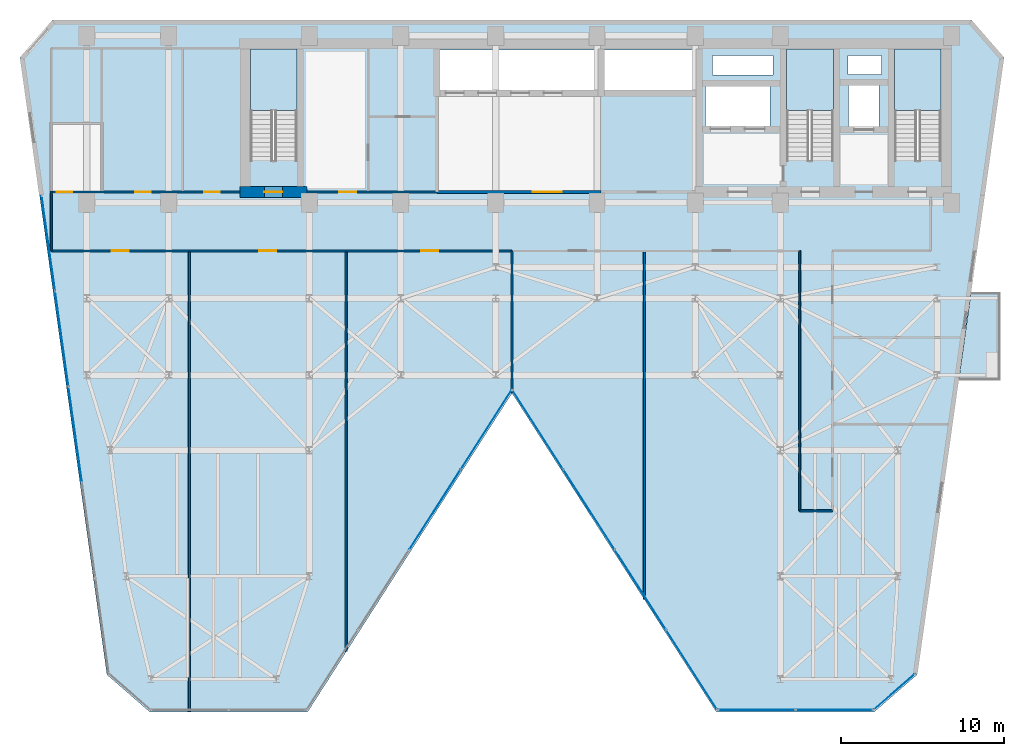
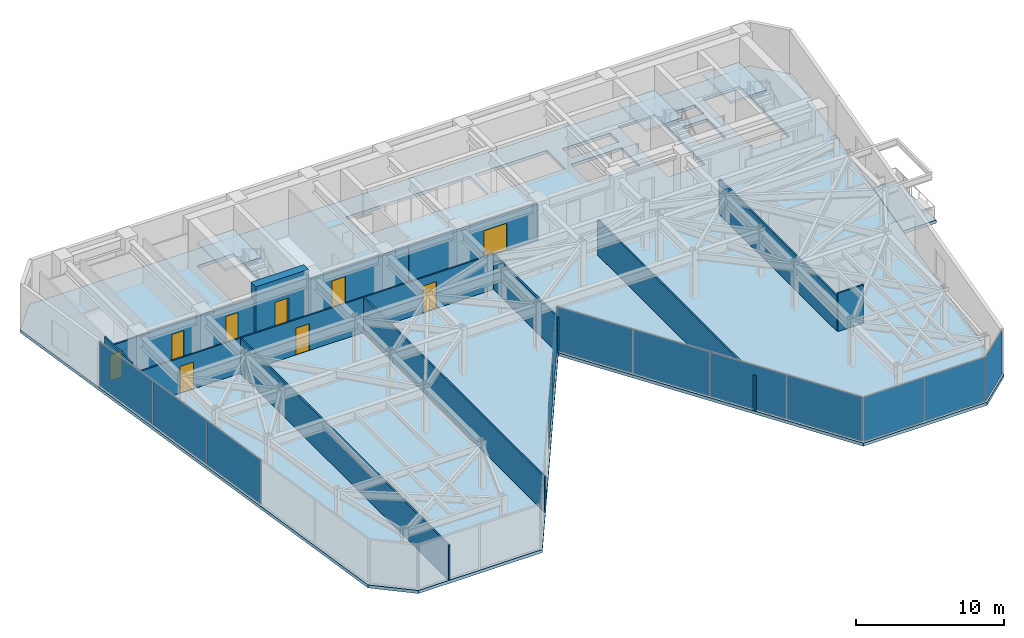
# One storey, part 21 of 26: 12 plates, 12 walls, 9 doors, 5 slabs, 9 openings, 8 elements without a shape of their own.
"""IFC4 building model written with IfcOpenShell, lengths in metres."""

import ifcopenshell
import ifcopenshell.guid

model = None  # the IFC model being written
_history = None  # IfcOwnerHistory: only IFC2X3 demands one
_inside = {}  # id of a spatial element -> (the spatial element, [elements in it])
_under = {}  # id of a project, library or spatial element -> (it, [spatial elements below it])
_declared = {}  # id of a project -> (the project, [libraries it declares])
_typed = {}  # id of a type object -> (the type object, [elements of that type])
_made_of = {}  # id of a material, layer set ... -> (it, [elements and type objects made of it])


def new_model(schema):
    """Start an empty IFC model of exactly this schema.

    Asked for "IFC4X3", IfcOpenShell would pick the latest addendum, in which some entities
    have other attributes; the version numbers below select the first issue.
    IFC2X3 requires an IfcOwnerHistory on every rooted entity: one is made here for all.
    """
    global model, _history
    if schema == "IFC4X3":
        model = ifcopenshell.file(schema_version=(4, 3, 0, 0))
    else:
        model = ifcopenshell.file(schema=schema)
    _inside.clear()
    _under.clear()
    _declared.clear()
    _typed.clear()
    _made_of.clear()
    _history = None
    if model.schema == "IFC2X3":
        org = make("IfcOrganization", Name="unknown")
        user = make(
            "IfcPersonAndOrganization",
            ThePerson=make("IfcPerson", FamilyName="unknown"),
            TheOrganization=org,
        )
        app = make(
            "IfcApplication",
            ApplicationDeveloper=org,
            Version="unknown",
            ApplicationFullName="unknown",
            ApplicationIdentifier="unknown",
        )
        _history = make(
            "IfcOwnerHistory",
            OwningUser=user,
            OwningApplication=app,
            ChangeAction="ADDED",
            CreationDate=0,
        )
    return model


def make(cls, **values):
    """One entity of the class cls with the attributes given. An attribute that is None is left unset."""
    return model.create_entity(
        cls, **{name: value for name, value in values.items() if value is not None}
    )


def rooted(cls, **values):
    """An entity with a GlobalId (a new one), such as an element, a storey or a relation."""
    return make(cls, GlobalId=ifcopenshell.guid.new(), OwnerHistory=_history, **values)


def si_unit(unit_type, name, prefix=None):
    """IfcSIUnit, for example si_unit("LENGTHUNIT", "METRE", prefix="MILLI")."""
    return make("IfcSIUnit", UnitType=unit_type, Prefix=prefix, Name=name)


def assignment(units):
    """IfcUnitAssignment: the units of a project."""
    return None if units is None else make("IfcUnitAssignment", Units=units)


def point(xyz):
    """IfcCartesianPoint."""
    return None if xyz is None else make("IfcCartesianPoint", Coordinates=xyz)


def direction(xyz):
    """IfcDirection."""
    return None if xyz is None else make("IfcDirection", DirectionRatios=xyz)


def frame(location, z_axis=None, x_axis=None):
    """IfcAxis2Placement3D, a coordinate frame: its origin and axes. An axis left out is left unset."""
    return make(
        "IfcAxis2Placement3D",
        Location=point(location),
        Axis=direction(z_axis),
        RefDirection=direction(x_axis),
    )


def frame_2d(location, x_axis=None):
    """IfcAxis2Placement2D, a coordinate frame in the plane: its origin and x axis."""
    return make(
        "IfcAxis2Placement2D", Location=point(location), RefDirection=direction(x_axis)
    )


def origin():
    """The frame at (0, 0, 0) with its axes left unset."""
    return frame((0.0, 0.0, 0.0))


def origin_2d():
    """The frame at (0, 0) in the plane with its x axis left unset."""
    return frame_2d((0.0, 0.0))


def place(relative_to, where):
    """IfcLocalPlacement: puts the frame where relative to a parent placement (None: the world)."""
    return make(
        "IfcLocalPlacement", PlacementRelTo=relative_to, RelativePlacement=where
    )


def context(
    kind, dimensions, precision=None, world=None, true_north=None, identifier=None
):
    """IfcGeometricRepresentationContext, for example the 3D "Model" context."""
    return make(
        "IfcGeometricRepresentationContext",
        ContextIdentifier=identifier,
        ContextType=kind,
        CoordinateSpaceDimension=dimensions,
        Precision=precision,
        WorldCoordinateSystem=world,
        TrueNorth=true_north,
    )


def subcontext(parent, identifier, kind, view, scale=None):
    """IfcGeometricRepresentationSubContext, for example "Body" below "Model"."""
    return make(
        "IfcGeometricRepresentationSubContext",
        ContextIdentifier=identifier,
        ContextType=kind,
        ParentContext=parent,
        TargetScale=scale,
        TargetView=view,
    )


def project(units=None, contexts=None):
    """IfcProject with its units and contexts."""
    return rooted(
        "IfcProject",
        Name="project",
        RepresentationContexts=contexts,
        UnitsInContext=assignment(units),
    )


def spatial(cls, under=None, at=None, **own):
    """A site, building, storey or space (cls), placed at a placement, below another one or the project."""
    s = rooted(cls, ObjectPlacement=at, **own)
    if under is not None:
        _under.setdefault(under.id(), (under, []))[1].append(s)
    return s


def polyline(points):
    """IfcPolyline through the points."""
    return make("IfcPolyline", Points=[point(p) for p in points])


def profile(cls, at=None, kind="AREA", **sizes):
    """A parametric profile (cls). Its sizes go by their IFC names, for example OverallWidth=200.0."""
    return make(cls, ProfileType=kind, Position=at, **sizes)


def rectangle(**sizes):
    """IfcRectangleProfileDef."""
    return profile("IfcRectangleProfileDef", **sizes)


def outline(outer, holes=None, kind="AREA"):
    """IfcArbitraryClosedProfileDef: a profile drawn as a closed curve; with holes, ...WithVoids."""
    if holes is None:
        return make("IfcArbitraryClosedProfileDef", ProfileType=kind, OuterCurve=outer)
    return make(
        "IfcArbitraryProfileDefWithVoids",
        ProfileType=kind,
        OuterCurve=outer,
        InnerCurves=holes,
    )


def extrude(swept, where, along, depth):
    """IfcExtrudedAreaSolid: the profile swept, set in the frame where, extruded along a direction by depth."""
    return make(
        "IfcExtrudedAreaSolid",
        SweptArea=swept,
        Position=where,
        ExtrudedDirection=direction(along),
        Depth=depth,
    )


def shape(context_of_items, identifier, shape_type, items):
    """IfcShapeRepresentation: the items that make up one representation, for example the "Body"."""
    return make(
        "IfcShapeRepresentation",
        ContextOfItems=context_of_items,
        RepresentationIdentifier=identifier,
        RepresentationType=shape_type,
        Items=items,
    )


def material(Name=None, Category=None):
    """IfcMaterial."""
    return make("IfcMaterial", Name=Name, Category=Category)


def layer(
    of_material, thickness, ventilated=None, Name=None, Category=None, Priority=None
):
    """IfcMaterialLayer: one layer of a wall or slab, of a material (None: an air gap)."""
    return make(
        "IfcMaterialLayer",
        Material=of_material,
        LayerThickness=thickness,
        IsVentilated=ventilated,
        Name=Name,
        Category=Category,
        Priority=Priority,
    )


def layer_set(layers, Name=None):
    """IfcMaterialLayerSet."""
    return make("IfcMaterialLayerSet", MaterialLayers=layers, LayerSetName=Name)


def made_of(thing, what):
    """Note that an element or type object is made of a material, layer set ...; save() writes the relation."""
    if what is not None:
        _made_of.setdefault(what.id(), (what, []))[1].append(thing)
    return thing


def type_object(cls, material=None, **own):
    """A type object (cls), such as IfcWallType, which elements share."""
    return made_of(rooted(cls, **own), material)


def element(
    cls,
    number,
    at=None,
    inside=None,
    cuts=None,
    type_object=None,
    material=None,
    context=None,
    identifier="Body",
    shape_type=None,
    held_by="IfcProductDefinitionShape",
    body=None,
    shapes=None,
    **own,
):
    """One element of the class cls, such as IfcWall. Its Tag is "e" and its number.

    at: its placement. inside: the storey or other place that contains it. cuts: it is an
    opening in that element (IfcRelVoidsElement). A single representation is given by context,
    identifier, shape_type and body (its items); several are given by shapes. held_by: the class
    of the entity that holds the representations. save() writes the other relations.
    """
    e = rooted(cls, Tag="e%d" % number, ObjectPlacement=at, **own)
    if body is not None:
        shapes = [shape(context, identifier, shape_type, body)]
    if shapes is not None:
        e.Representation = make(held_by, Representations=shapes)
    if inside is not None:
        _inside.setdefault(inside.id(), (inside, []))[1].append(e)
    if cuts is not None:
        rooted(
            "IfcRelVoidsElement", RelatingBuildingElement=cuts, RelatedOpeningElement=e
        )
    if type_object is not None:
        _typed.setdefault(type_object.id(), (type_object, []))[1].append(e)
    return made_of(e, material)


def fill(opening, filler):
    """IfcRelFillsElement: the door or window that sits in an opening."""
    return rooted(
        "IfcRelFillsElement",
        RelatingOpeningElement=opening,
        RelatedBuildingElement=filler,
    )


def aggregate(whole, parts):
    """IfcRelAggregates: a whole, such as a stair, and the parts it consists of."""
    return rooted("IfcRelAggregates", RelatingObject=whole, RelatedObjects=parts)


def save(model, path):
    """Write the relations noted so far, then the file.

    IfcRelAggregates (storeys below a building ...), IfcRelContainedInSpatialStructure (elements
    in a storey), IfcRelDefinesByType, IfcRelAssociatesMaterial and IfcRelDeclares: one each for
    every whole, place, type object, material and project.
    """
    for whole, parts in _under.values():
        aggregate(whole, parts)
    for where, things in _inside.values():
        rooted(
            "IfcRelContainedInSpatialStructure",
            RelatedElements=things,
            RelatingStructure=where,
        )
    for kind, things in _typed.values():
        rooted("IfcRelDefinesByType", RelatedObjects=things, RelatingType=kind)
    for what, things in _made_of.values():
        rooted("IfcRelAssociatesMaterial", RelatedObjects=things, RelatingMaterial=what)
    for by, libraries in _declared.values():
        rooted("IfcRelDeclares", RelatingContext=by, RelatedDefinitions=libraries)
    model.write(path)


model = new_model("IFC4")

# Units and contexts
model_context = context("Model", 3, precision=1e-05, world=origin(), true_north=direction((0.0, 1.0)))
body_context = subcontext(model_context, "Body", "Model", "MODEL_VIEW")
ifc_project = project(units=[si_unit("LENGTHUNIT", "METRE"), si_unit("AREAUNIT", "SQUARE_METRE"), si_unit("VOLUMEUNIT", "CUBIC_METRE"), si_unit("PLANEANGLEUNIT", "RADIAN"), si_unit("MASSUNIT", "GRAM", prefix="KILO")], contexts=[model_context])

# Site, building, storey
site_placement = place(None, origin())
site = spatial("IfcSite", under=ifc_project, at=site_placement, CompositionType="ELEMENT")
building_placement = place(site_placement, origin())
building = spatial("IfcBuilding", under=site, at=building_placement, Name="Kravanh Interchange Tower", CompositionType="ELEMENT")
storey_placement = place(building_placement, frame((0.0, 0.0, 128.0)))
storey = spatial("IfcBuildingStorey", under=building, at=storey_placement, Name="L30", CompositionType="ELEMENT", Elevation=128.0)

# Slab
ifc_material_1 = material(Name="Concrete C50/60", Category="concrete")
ifc_layer_1 = layer(ifc_material_1, 0.25)
ifc_layer_set_1 = layer_set([ifc_layer_1], Name="Composite Floor Slab Concrete C50/60 250mm")
slab_type_1 = type_object("IfcSlabType", Name="Composite Floor Slab Concrete C50/60 250mm", PredefinedType="FLOOR", material=ifc_layer_set_1)
slab_1_placement = place(storey_placement, frame((0.0, 0.0, -0.25)))
element("IfcSlab", 1, at=slab_1_placement, inside=storey, type_object=slab_type_1, Name="L30 Structural Floor Slab", PredefinedType="FLOOR", context=body_context, shape_type="SweptSolid", body=[
    extrude(outline(polyline([(14.82470703125, 8.4775390625), (17.44482421875, 6.199951171875), (27.10009765625, 6.199951171875), (39.60009765625, 25.699951171875), (52.10009765625, 6.199951171875), (61.755126953125, 6.199951171875), (64.375244140625, 8.4775390625), (69.679931640625, 46.222412109375), (67.699951171875, 48.5), (11.5, 48.5), (9.52001953125, 46.222412109375), (14.82470703125, 8.4775390625)]), holes=[polyline([(65.85009765625, 39.925048828125), (65.85009765625, 46.75), (63.0, 46.75), (63.0, 39.925048828125), (65.85009765625, 39.925048828125)]), polyline([(59.25, 39.925048828125), (59.25, 46.75), (56.39990234375, 46.75), (56.39990234375, 39.925048828125), (59.25, 39.925048828125)]), polyline([(26.449951171875, 39.925048828125), (26.449951171875, 46.75), (23.60009765625, 46.75), (23.60009765625, 39.925048828125), (26.449951171875, 39.925048828125)]), polyline([(35.179931640625, 44.219970703125), (44.840087890625, 44.219970703125), (44.840087890625, 46.699951171875), (35.179931640625, 46.699951171875), (35.179931640625, 44.219970703125)]), polyline([(45.239990234375, 44.219970703125), (50.840087890625, 44.219970703125), (50.840087890625, 46.699951171875), (45.239990234375, 46.699951171875), (45.239990234375, 44.219970703125)]), polyline([(51.419921875, 42.02001953125), (55.3798828125, 42.02001953125), (55.3798828125, 44.47998046875), (51.419921875, 44.47998046875), (51.419921875, 42.02001953125)]), polyline([(60.179931640625, 41.97998046875), (62.06005859375, 41.97998046875), (62.06005859375, 44.52001953125), (60.179931640625, 44.52001953125), (60.179931640625, 41.97998046875)]), polyline([(60.14990234375, 45.199951171875), (62.199951171875, 45.199951171875), (62.199951171875, 46.35009765625), (60.14990234375, 46.35009765625), (60.14990234375, 45.199951171875)]), polyline([(51.85009765625, 45.14990234375), (55.550048828125, 45.14990234375), (55.550048828125, 46.35009765625), (51.85009765625, 46.35009765625), (51.85009765625, 45.14990234375)])]), origin(), (0.0, 0.0, 1.0), 0.25),
])

# Stair, slab
ifc_material_2 = material(Name="Concrete C50/60", Category="concrete")
stair_type = type_object("IfcStairType", Name="Core Fire Exit Dogleg Stair Concrete C50/60", PredefinedType="HALF_TURN_STAIR", material=ifc_material_2)
stair_1_placement = place(storey_placement, origin())
stair_1 = element("IfcStair", 2, at=stair_1_placement, inside=storey, type_object=stair_type, Name="L30 Exit Stair ST1", PredefinedType="HALF_TURN_STAIR")
ifc_material_3 = material(Name="Concrete C50/60", Category="concrete")
ifc_layer_2 = layer(ifc_material_3, 0.199951171875)
ifc_layer_set_2 = layer_set([ifc_layer_2], Name="Concrete C50/60 Stair Half-Landing Slab 200mm")
slab_type_2 = type_object("IfcSlabType", Name="Concrete C50/60 Stair Half-Landing Slab 200mm", PredefinedType="LANDING", material=ifc_layer_set_2)
slab_2_placement = place(storey_placement, frame((0.0, 0.0, 1.800048828125)))
slab_2 = element("IfcSlab", 3, at=slab_2_placement, type_object=slab_type_2, Name="ST1 landing 1", PredefinedType="LANDING", context=body_context, shape_type="SweptSolid", body=[
    extrude(outline(polyline([(65.85009765625, 42.97998046875), (65.85009765625, 46.75), (63.0, 46.75), (63.0, 42.97998046875), (65.85009765625, 42.97998046875)])), origin(), (0.0, 0.0, 1.0), 0.199951171875),
])
aggregate(stair_1, [slab_2])

stair_2_placement = place(storey_placement, origin())
stair_2 = element("IfcStair", 4, at=stair_2_placement, inside=storey, type_object=stair_type, Name="L30 Exit Stair ST2", PredefinedType="HALF_TURN_STAIR")
slab_3_placement = place(storey_placement, frame((0.0, 0.0, 1.800048828125)))
slab_3 = element("IfcSlab", 5, at=slab_3_placement, type_object=slab_type_2, Name="ST2 landing 1", PredefinedType="LANDING", context=body_context, shape_type="SweptSolid", body=[
    extrude(outline(polyline([(59.25, 42.97998046875), (59.25, 46.75), (56.39990234375, 46.75), (56.39990234375, 42.97998046875), (59.25, 42.97998046875)])), origin(), (0.0, 0.0, 1.0), 0.199951171875),
])
aggregate(stair_2, [slab_3])

stair_3_placement = place(storey_placement, origin())
stair_3 = element("IfcStair", 6, at=stair_3_placement, inside=storey, type_object=stair_type, Name="L30 Exit Stair ST3", PredefinedType="HALF_TURN_STAIR")
slab_4_placement = place(storey_placement, frame((0.0, 0.0, 1.800048828125)))
slab_4 = element("IfcSlab", 7, at=slab_4_placement, type_object=slab_type_2, Name="ST3 landing 1", PredefinedType="LANDING", context=body_context, shape_type="SweptSolid", body=[
    extrude(outline(polyline([(26.449951171875, 42.97998046875), (26.449951171875, 46.75), (23.60009765625, 46.75), (23.60009765625, 42.97998046875), (26.449951171875, 42.97998046875)])), origin(), (0.0, 0.0, 1.0), 0.199951171875),
])
aggregate(stair_3, [slab_4])

# Slab
ifc_material_4 = material(Name="Concrete C50/60", Category="concrete")
ifc_layer_3 = layer(ifc_material_4, 0.199951171875)
ifc_layer_set_3 = layer_set([ifc_layer_3], Name="Planted Tree Balcony Slab Concrete C50/60 200mm")
slab_type_3 = type_object("IfcSlabType", Name="Planted Tree Balcony Slab Concrete C50/60 200mm", PredefinedType="USERDEFINED", material=ifc_layer_set_3)
slab_5_placement = place(storey_placement, frame((0.0, 0.0, -0.25)))
element("IfcSlab", 8, at=slab_5_placement, inside=storey, type_object=slab_type_3, Name="L30 East Tree Planter Balcony Slab", ObjectType="BALCONY", PredefinedType="USERDEFINED", context=body_context, shape_type="SweptSolid", body=[
    extrude(outline(polyline([(69.489990234375, 31.8701171875), (69.489990234375, 26.469970703125), (66.9189453125, 26.469970703125), (67.677978515625, 31.8701171875), (69.489990234375, 31.8701171875)])), origin(), (0.0, 0.0, 1.0), 0.25),
])

# Curtain wall, plates
ifc_material_5 = material(Name="Anodised Bronze Aluminium", Category="aluminium")
ifc_layer_4 = layer(ifc_material_5, 0.179931640625)
ifc_layer_set_4 = layer_set([ifc_layer_4], Name="Unitised Curtain Wall System CW-Z2 Mid Office")
curtain_wall_type = type_object("IfcCurtainWallType", Name="Unitised Curtain Wall System CW-Z2 Mid Office", PredefinedType="NOTDEFINED", material=ifc_layer_set_4)
curtain_wall_1_placement = place(storey_placement, origin())
curtain_wall_1 = element("IfcCurtainWall", 9, at=curtain_wall_1_placement, inside=storey, type_object=curtain_wall_type, Name="L30 Unitised Curtain Wall CW-L30-01", PredefinedType="NOTDEFINED")
ifc_material_6 = material(Name="Low-E Laminated Architectural Glass", Category="glass")
ifc_layer_5 = layer(ifc_material_6, 0.02587890625)
ifc_layer_set_5 = layer_set([ifc_layer_5], Name="Solar-Control Double Glazing 26mm")
plate_type = type_object("IfcPlateType", Name="Solar-Control Double Glazing 26mm", PredefinedType="CURTAIN_PANEL", material=ifc_layer_set_5)
plate_1_placement = place(storey_placement, frame((12.881103515625, 23.16943359375, 0.06005859375), z_axis=(0.0, 0.0, 1.0), x_axis=(-0.13917285118, 0.990268103846, 0.0)))
plate_1 = element("IfcPlate", 10, at=plate_1_placement, type_object=plate_type, Name="CW-Z2 panel 3.1", PredefinedType="CURTAIN_PANEL", context=body_context, shape_type="SweptSolid", body=[
    extrude(rectangle(XDim=5.849853515625, YDim=0.02587890625, at=origin_2d()), origin(), (0.0, 0.0, 1.0), 3.6298828125),
])
plate_2_placement = place(storey_placement, frame((12.058837890625, 29.021728515625, 0.06005859375), z_axis=(0.0, 0.0, 1.0), x_axis=(-0.13917285118, 0.990268103846, 0.0)))
plate_2 = element("IfcPlate", 11, at=plate_2_placement, type_object=plate_type, Name="CW-Z2 panel 4.1", PredefinedType="CURTAIN_PANEL", context=body_context, shape_type="SweptSolid", body=[
    extrude(rectangle(XDim=5.849853515625, YDim=0.02587890625, at=origin_2d()), origin(), (0.0, 0.0, 1.0), 3.6298828125),
])
plate_3_placement = place(storey_placement, frame((11.23828125, 34.859130859375, 0.06005859375), z_axis=(0.0, 0.0, 1.0), x_axis=(-0.13917285118, 0.990268103846, 0.0)))
plate_3 = element("IfcPlate", 12, at=plate_3_placement, type_object=plate_type, Name="CW-Z2 panel 5.1", PredefinedType="CURTAIN_PANEL", context=body_context, shape_type="SweptSolid", body=[
    extrude(rectangle(XDim=5.81982421875, YDim=0.02587890625, at=origin_2d()), origin(), (0.0, 0.0, 1.0), 3.6298828125),
])
aggregate(curtain_wall_1, [plate_1, plate_2, plate_3])

# Curtain wall, plate
curtain_wall_2_placement = place(storey_placement, origin())
curtain_wall_2 = element("IfcCurtainWall", 13, at=curtain_wall_2_placement, inside=storey, type_object=curtain_wall_type, Name="L30 Unitised Curtain Wall CW-L30-02", PredefinedType="NOTDEFINED")
plate_4_placement = place(storey_placement, frame((62.986328125, 7.429443359375, 0.06005859375), z_axis=(0.0, 0.0, 1.0), x_axis=(-0.754719458103, -0.656047665617, 0.0)))
plate_4 = element("IfcPlate", 14, at=plate_4_placement, type_object=plate_type, Name="CW-Z2 panel 1.1", PredefinedType="CURTAIN_PANEL", context=body_context, shape_type="SweptSolid", body=[
    extrude(rectangle(XDim=3.261962890625, YDim=0.02587890625, at=origin_2d()), origin(), (0.0, 0.0, 1.0), 3.6298828125),
])
aggregate(curtain_wall_2, [plate_4])

# Curtain wall, plates
curtain_wall_3_placement = place(storey_placement, origin())
curtain_wall_3 = element("IfcCurtainWall", 15, at=curtain_wall_3_placement, inside=storey, type_object=curtain_wall_type, Name="L30 Unitised Curtain Wall CW-L30-03", PredefinedType="NOTDEFINED")
plate_5_placement = place(storey_placement, frame((59.30908203125, 6.320068359375, 0.06005859375), z_axis=(0.0, 0.0, 1.0), x_axis=(-1.0, 0.0, 0.0)))
plate_5 = element("IfcPlate", 16, at=plate_5_placement, type_object=plate_type, Name="CW-Z2 panel 1.1", PredefinedType="CURTAIN_PANEL", context=body_context, shape_type="SweptSolid", body=[
    extrude(rectangle(XDim=4.682373046875, YDim=0.02587890625, at=origin_2d()), origin(), (0.0, 0.0, 1.0), 3.6298828125),
])
plate_6_placement = place(storey_placement, frame((54.566650390625, 6.320068359375, 0.06005859375), z_axis=(0.0, 0.0, 1.0), x_axis=(-1.0, 0.0, 0.0)))
plate_6 = element("IfcPlate", 17, at=plate_6_placement, type_object=plate_type, Name="CW-Z2 panel 2.1", PredefinedType="CURTAIN_PANEL", context=body_context, shape_type="SweptSolid", body=[
    extrude(rectangle(XDim=4.682373046875, YDim=0.02587890625, at=origin_2d()), origin(), (0.0, 0.0, 1.0), 3.6298828125),
])
aggregate(curtain_wall_3, [plate_5, plate_6])

curtain_wall_4_placement = place(storey_placement, origin())
curtain_wall_4 = element("IfcCurtainWall", 18, at=curtain_wall_4_placement, inside=storey, type_object=curtain_wall_type, Name="L30 Unitised Curtain Wall CW-L30-04", PredefinedType="NOTDEFINED")
plate_7_placement = place(storey_placement, frame((50.5869140625, 8.782958984375, 0.06005859375), z_axis=(0.0, 0.0, 1.0), x_axis=(-0.539664865919, 0.841879939476, 0.0)))
plate_7 = element("IfcPlate", 19, at=plate_7_placement, type_object=plate_type, Name="CW-Z2 panel 1.1", PredefinedType="CURTAIN_PANEL", context=body_context, shape_type="SweptSolid", body=[
    extrude(rectangle(XDim=5.73095703125, YDim=0.02587890625, at=origin_2d()), origin(), (0.0, 0.0, 1.0), 3.6298828125),
])
plate_8_placement = place(storey_placement, frame((47.45361328125, 13.6708984375, 0.06005859375), z_axis=(0.0, 0.0, 1.0), x_axis=(-0.539664865919, 0.841879939476, 0.0)))
plate_8 = element("IfcPlate", 20, at=plate_8_placement, type_object=plate_type, Name="CW-Z2 panel 2.1", PredefinedType="CURTAIN_PANEL", context=body_context, shape_type="SweptSolid", body=[
    extrude(rectangle(XDim=5.760986328125, YDim=0.02587890625, at=origin_2d()), origin(), (0.0, 0.0, 1.0), 3.6298828125),
])
plate_9_placement = place(storey_placement, frame((44.31201171875, 18.571533203125, 0.06005859375), z_axis=(0.0, 0.0, 1.0), x_axis=(-0.539664865919, 0.841879939476, 0.0)))
plate_9 = element("IfcPlate", 21, at=plate_9_placement, type_object=plate_type, Name="CW-Z2 panel 3.1", PredefinedType="CURTAIN_PANEL", context=body_context, shape_type="SweptSolid", body=[
    extrude(rectangle(XDim=5.760986328125, YDim=0.02587890625, at=origin_2d()), origin(), (0.0, 0.0, 1.0), 3.6298828125),
])
plate_10_placement = place(storey_placement, frame((41.1787109375, 23.45947265625, 0.06005859375), z_axis=(0.0, 0.0, 1.0), x_axis=(-0.539664865919, 0.841879939476, 0.0)))
plate_10 = element("IfcPlate", 22, at=plate_10_placement, type_object=plate_type, Name="CW-Z2 panel 4.1", PredefinedType="CURTAIN_PANEL", context=body_context, shape_type="SweptSolid", body=[
    extrude(rectangle(XDim=5.73095703125, YDim=0.02587890625, at=origin_2d()), origin(), (0.0, 0.0, 1.0), 3.6298828125),
])
aggregate(curtain_wall_4, [plate_7, plate_8, plate_9, plate_10])

curtain_wall_5_placement = place(storey_placement, origin())
curtain_wall_5 = element("IfcCurtainWall", 23, at=curtain_wall_5_placement, inside=storey, type_object=curtain_wall_type, Name="L30 Unitised Curtain Wall CW-L30-05", PredefinedType="NOTDEFINED")
plate_11_placement = place(storey_placement, frame((38.021240234375, 23.45947265625, 0.06005859375), z_axis=(0.0, 0.0, 1.0), x_axis=(-0.539664865919, -0.841879939476, 0.0)))
plate_11 = element("IfcPlate", 24, at=plate_11_placement, type_object=plate_type, Name="CW-Z2 panel 1.1", PredefinedType="CURTAIN_PANEL", context=body_context, shape_type="SweptSolid", body=[
    extrude(rectangle(XDim=5.73095703125, YDim=0.02587890625, at=origin_2d()), origin(), (0.0, 0.0, 1.0), 3.6298828125),
])
plate_12_placement = place(storey_placement, frame((34.887939453125, 18.571533203125, 0.06005859375), z_axis=(0.0, 0.0, 1.0), x_axis=(-0.539664865919, -0.841879939476, 0.0)))
plate_12 = element("IfcPlate", 25, at=plate_12_placement, type_object=plate_type, Name="CW-Z2 panel 2.1", PredefinedType="CURTAIN_PANEL", context=body_context, shape_type="SweptSolid", body=[
    extrude(rectangle(XDim=5.760986328125, YDim=0.02587890625, at=origin_2d()), origin(), (0.0, 0.0, 1.0), 3.6298828125),
])
aggregate(curtain_wall_5, [plate_11, plate_12])

# Wall, openings, doors
ifc_material_7 = material(Name="Double Acoustic Gypsum Board and Mineral Wool")
ifc_layer_6 = layer(ifc_material_7, 0.1201171875)
ifc_layer_set_6 = layer_set([ifc_layer_6], Name="Acoustic Office Drywall Partition 120mm")
wall_type_1 = type_object("IfcWallType", Name="Acoustic Office Drywall Partition 120mm", PredefinedType="PARTITIONING", material=ifc_layer_set_6)
wall_1_placement = place(storey_placement, frame((11.419921875, 38.0, 0.0), z_axis=(0.0, 0.0, 1.0), x_axis=(1.0, 0.0, 0.0)))
wall_1 = element("IfcWall", 26, at=wall_1_placement, inside=storey, type_object=wall_type_1, Name="L30 Restroom Corridor Wall 7", PredefinedType="PARTITIONING", context=body_context, shape_type="SweptSolid", body=[
    extrude(rectangle(XDim=11.530029296875, YDim=0.1201171875, at=frame_2d((5.76513671875, 0.0))), origin(), (0.0, 0.0, 1.0), 2.89404296875),
])
opening_1_placement = place(wall_1_placement, frame((0.3427734375, 0.0, 0.0)))
opening_1 = element("IfcOpeningElement", 27, at=opening_1_placement, cuts=wall_1, Name="Opening D-95", PredefinedType="OPENING", context=body_context, shape_type="SweptSolid", body=[
    extrude(rectangle(XDim=0.949951171875, YDim=2.14990234375, at=frame_2d((0.47509765625, 1.074951171875))), frame((0.0, 0.070068359375, 0.0), z_axis=(0.0, -1.0, 0.0), x_axis=(1.0, 0.0, 0.0)), (0.0, 0.0, 1.0), 0.14013671875),
])
opening_2_placement = place(wall_1_placement, frame((5.130126953125, 0.0, 0.0)))
opening_2 = element("IfcOpeningElement", 28, at=opening_2_placement, cuts=wall_1, Name="Opening D-95", PredefinedType="OPENING", context=body_context, shape_type="SweptSolid", body=[
    extrude(rectangle(XDim=0.949951171875, YDim=2.14990234375, at=frame_2d((0.47509765625, 1.074951171875))), frame((0.0, 0.070068359375, 0.0), z_axis=(0.0, -1.0, 0.0), x_axis=(1.0, 0.0, 0.0)), (0.0, 0.0, 1.0), 0.14013671875),
])
opening_3_placement = place(wall_1_placement, frame((9.344970703125, 0.0, 0.0)))
opening_3 = element("IfcOpeningElement", 29, at=opening_3_placement, cuts=wall_1, Name="Opening D-95", PredefinedType="OPENING", context=body_context, shape_type="SweptSolid", body=[
    extrude(rectangle(XDim=0.949951171875, YDim=2.14990234375, at=frame_2d((0.47509765625, 1.074951171875))), frame((0.0, 0.070068359375, 0.0), z_axis=(0.0, -1.0, 0.0), x_axis=(1.0, 0.0, 0.0)), (0.0, 0.0, 1.0), 0.14013671875),
])
ifc_material_8 = material(Name="Laminate Solid-Core Timber", Category="wood")
door_type_1 = type_object("IfcDoorType", Name="Accessible Restroom Door 950x2150", OperationType="NOTDEFINED", PredefinedType="DOOR", material=ifc_material_8)
door_1_placement = place(opening_1_placement, origin())
door_1 = element("IfcDoor", 30, at=door_1_placement, inside=storey, type_object=door_type_1, Name="L30 Accessible WC Door", OperationType="SINGLE_SWING_RIGHT", OverallHeight=2.14990234375, OverallWidth=0.949951171875, PredefinedType="DOOR", context=body_context, shape_type="SweptSolid", body=[
    extrude(rectangle(XDim=0.949951171875, YDim=2.14990234375, at=frame_2d((0.47509765625, 1.074951171875))), frame((0.0, 0.02490234375, 0.0), z_axis=(0.0, -1.0, 0.0), x_axis=(1.0, 0.0, 0.0)), (0.0, 0.0, 1.0), 0.050048828125),
])
fill(opening_1, door_1)
door_2_placement = place(opening_2_placement, origin())
door_2 = element("IfcDoor", 31, at=door_2_placement, inside=storey, type_object=door_type_1, Name="L30 Female WC Door", OperationType="SINGLE_SWING_LEFT", OverallHeight=2.14990234375, OverallWidth=0.949951171875, PredefinedType="DOOR", context=body_context, shape_type="SweptSolid", body=[
    extrude(rectangle(XDim=0.949951171875, YDim=2.14990234375, at=frame_2d((0.47509765625, 1.074951171875))), frame((0.0, 0.02490234375, 0.0), z_axis=(0.0, -1.0, 0.0), x_axis=(1.0, 0.0, 0.0)), (0.0, 0.0, 1.0), 0.050048828125),
])
fill(opening_2, door_2)
door_3_placement = place(opening_3_placement, origin())
door_3 = element("IfcDoor", 32, at=door_3_placement, inside=storey, type_object=door_type_1, Name="L30 Male WC Door", OperationType="SINGLE_SWING_RIGHT", OverallHeight=2.14990234375, OverallWidth=0.949951171875, PredefinedType="DOOR", context=body_context, shape_type="SweptSolid", body=[
    extrude(rectangle(XDim=0.949951171875, YDim=2.14990234375, at=frame_2d((0.47509765625, 1.074951171875))), frame((0.0, 0.02490234375, 0.0), z_axis=(0.0, -1.0, 0.0), x_axis=(1.0, 0.0, 0.0)), (0.0, 0.0, 1.0), 0.050048828125),
])
fill(opening_3, door_3)

wall_2_placement = place(storey_placement, frame((11.419921875, 34.39990234375, 0.0), z_axis=(0.0, 0.0, 1.0), x_axis=(1.0, 0.0, 0.0)))
wall_2 = element("IfcWall", 33, at=wall_2_placement, inside=storey, type_object=wall_type_1, Name="L30 Interior Partition 13", PredefinedType="PARTITIONING", context=body_context, shape_type="SweptSolid", body=[
    extrude(rectangle(XDim=28.18017578125, YDim=0.1201171875, at=frame_2d((14.090087890625, 0.0))), origin(), (0.0, 0.0, 1.0), 2.89404296875),
])
opening_4_placement = place(wall_2_placement, frame((3.699951171875, 0.0, 0.0)))
opening_4 = element("IfcOpeningElement", 34, at=opening_4_placement, cuts=wall_2, Name="Opening D-105", PredefinedType="OPENING", context=body_context, shape_type="SweptSolid", body=[
    extrude(rectangle(XDim=1.050048828125, YDim=2.199951171875, at=frame_2d((0.52490234375, 1.10009765625))), frame((0.0, 0.070068359375, 0.0), z_axis=(0.0, -1.0, 0.0), x_axis=(1.0, 0.0, 0.0)), (0.0, 0.0, 1.0), 0.14013671875),
])
opening_5_placement = place(wall_2_placement, frame((12.719970703125, 0.0, 0.0)))
opening_5 = element("IfcOpeningElement", 35, at=opening_5_placement, cuts=wall_2, Name="Opening D-105", PredefinedType="OPENING", context=body_context, shape_type="SweptSolid", body=[
    extrude(rectangle(XDim=1.050048828125, YDim=2.199951171875, at=frame_2d((0.52490234375, 1.10009765625))), frame((0.0, 0.070068359375, 0.0), z_axis=(0.0, -1.0, 0.0), x_axis=(1.0, 0.0, 0.0)), (0.0, 0.0, 1.0), 0.14013671875),
])
opening_6_placement = place(wall_2_placement, frame((22.625, 0.0, 0.0)))
opening_6 = element("IfcOpeningElement", 36, at=opening_6_placement, cuts=wall_2, Name="Opening D-105", PredefinedType="OPENING", context=body_context, shape_type="SweptSolid", body=[
    extrude(rectangle(XDim=1.050048828125, YDim=2.199951171875, at=frame_2d((0.52490234375, 1.10009765625))), frame((0.0, 0.070068359375, 0.0), z_axis=(0.0, -1.0, 0.0), x_axis=(1.0, 0.0, 0.0)), (0.0, 0.0, 1.0), 0.14013671875),
])
ifc_material_9 = material(Name="Acoustic Glazed Oak and Aluminium", Category="aluminium")
door_type_2 = type_object("IfcDoorType", Name="Office Workplace Door 1050x2200", OperationType="NOTDEFINED", PredefinedType="DOOR", material=ifc_material_9)
door_4_placement = place(opening_4_placement, origin())
door_4 = element("IfcDoor", 37, at=door_4_placement, inside=storey, type_object=door_type_2, Name="L30 West Workplace Office 1 Door", OperationType="SINGLE_SWING_RIGHT", OverallHeight=2.199951171875, OverallWidth=1.050048828125, PredefinedType="DOOR", context=body_context, shape_type="SweptSolid", body=[
    extrude(rectangle(XDim=1.050048828125, YDim=2.199951171875, at=frame_2d((0.52490234375, 1.10009765625))), frame((0.0, 0.02490234375, 0.0), z_axis=(0.0, -1.0, 0.0), x_axis=(1.0, 0.0, 0.0)), (0.0, 0.0, 1.0), 0.050048828125),
])
fill(opening_4, door_4)
door_5_placement = place(opening_5_placement, origin())
door_5 = element("IfcDoor", 38, at=door_5_placement, inside=storey, type_object=door_type_2, Name="L30 West Workplace Office 2 Door", OperationType="SINGLE_SWING_LEFT", OverallHeight=2.199951171875, OverallWidth=1.050048828125, PredefinedType="DOOR", context=body_context, shape_type="SweptSolid", body=[
    extrude(rectangle(XDim=1.050048828125, YDim=2.199951171875, at=frame_2d((0.52490234375, 1.10009765625))), frame((0.0, 0.02490234375, 0.0), z_axis=(0.0, -1.0, 0.0), x_axis=(1.0, 0.0, 0.0)), (0.0, 0.0, 1.0), 0.050048828125),
])
fill(opening_5, door_5)
door_6_placement = place(opening_6_placement, origin())
door_6 = element("IfcDoor", 39, at=door_6_placement, inside=storey, type_object=door_type_2, Name="L30 Briefing Meeting Room 1 Door", OperationType="SINGLE_SWING_RIGHT", OverallHeight=2.199951171875, OverallWidth=1.050048828125, PredefinedType="DOOR", context=body_context, shape_type="SweptSolid", body=[
    extrude(rectangle(XDim=1.050048828125, YDim=2.199951171875, at=frame_2d((0.52490234375, 1.10009765625))), frame((0.0, 0.02490234375, 0.0), z_axis=(0.0, -1.0, 0.0), x_axis=(1.0, 0.0, 0.0)), (0.0, 0.0, 1.0), 0.050048828125),
])
fill(opening_6, door_6)

# Walls
wall_3_placement = place(storey_placement, frame((11.419921875, 34.39990234375, 0.0), z_axis=(0.0, 0.0, 1.0), x_axis=(0.0, 1.0, 0.0)))
element("IfcWall", 40, at=wall_3_placement, inside=storey, type_object=wall_type_1, Name="L30 Interior Partition 16", PredefinedType="PARTITIONING", context=body_context, shape_type="SweptSolid", body=[
    extrude(rectangle(XDim=3.650146484375, YDim=0.1201171875, at=frame_2d((1.8251953125, 0.0))), origin(), (0.0, 0.0, 1.0), 3.75),
])
wall_4_placement = place(storey_placement, frame((57.199951171875, 18.5, 0.0), z_axis=(0.0, 0.0, 1.0), x_axis=(0.0, 1.0, 0.0)))
element("IfcWall", 41, at=wall_4_placement, inside=storey, type_object=wall_type_1, Name="L30 Interior Partition 18", PredefinedType="PARTITIONING", context=body_context, shape_type="SweptSolid", body=[
    extrude(rectangle(XDim=15.89990234375, YDim=0.1201171875, at=frame_2d((7.949951171875, 0.0))), origin(), (0.0, 0.0, 1.0), 2.89404296875),
])
wall_5_placement = place(storey_placement, frame((57.199951171875, 18.5, 0.0), z_axis=(0.0, 0.0, 1.0), x_axis=(1.0, 0.0, 0.0)))
element("IfcWall", 42, at=wall_5_placement, inside=storey, type_object=wall_type_1, Name="L30 Interior Partition 20", PredefinedType="PARTITIONING", context=body_context, shape_type="SweptSolid", body=[
    extrude(rectangle(XDim=2.0, YDim=0.1201171875, at=frame_2d((1.0, 0.0))), origin(), (0.0, 0.0, 1.0), 3.14208984375),
])
wall_6_placement = place(storey_placement, frame((39.60009765625, 25.727783203125, 0.0), z_axis=(0.0, 0.0, 1.0), x_axis=(0.0, 1.0, 0.0)))
element("IfcWall", 43, at=wall_6_placement, inside=storey, type_object=wall_type_1, Name="L30 Interior Partition 23", PredefinedType="PARTITIONING", context=body_context, shape_type="SweptSolid", body=[
    extrude(rectangle(XDim=8.672119140625, YDim=0.1201171875, at=frame_2d((4.3359375, 0.0))), origin(), (0.0, 0.0, 1.0), 2.89404296875),
])
wall_7_placement = place(storey_placement, frame((19.8701171875, 6.215087890625, 0.0), z_axis=(0.0, 0.0, 1.0), x_axis=(0.0, 1.0, 0.0)))
element("IfcWall", 44, at=wall_7_placement, inside=storey, type_object=wall_type_1, Name="L30 Interior Partition 24", PredefinedType="PARTITIONING", context=body_context, shape_type="SweptSolid", body=[
    extrude(rectangle(XDim=28.116943359375, YDim=0.1201171875, at=frame_2d((14.05859375, 0.0))), origin(), (0.0, 0.0, 1.0), 2.89404296875),
])
wall_8_placement = place(storey_placement, frame((29.4599609375, 9.909423828125, 0.0), z_axis=(0.0, 0.0, 1.0), x_axis=(0.0, 1.0, 0.0)))
element("IfcWall", 45, at=wall_8_placement, inside=storey, type_object=wall_type_1, Name="L30 Interior Partition 25", PredefinedType="PARTITIONING", context=body_context, shape_type="SweptSolid", body=[
    extrude(rectangle(XDim=24.422607421875, YDim=0.1201171875, at=frame_2d((12.21142578125, 0.0))), origin(), (0.0, 0.0, 1.0), 2.89404296875),
])
wall_9_placement = place(storey_placement, frame((47.699951171875, 13.091796875, 0.0), z_axis=(0.0, 0.0, 1.0), x_axis=(0.0, 1.0, 0.0)))
element("IfcWall", 46, at=wall_9_placement, inside=storey, type_object=wall_type_1, Name="L30 Interior Partition 26", PredefinedType="PARTITIONING", context=body_context, shape_type="SweptSolid", body=[
    extrude(rectangle(XDim=21.240234375, YDim=0.1201171875, at=frame_2d((10.6201171875, 0.0))), origin(), (0.0, 0.0, 1.0), 2.89404296875),
])

# Wall, opening, door
ifc_material_10 = material(Name="Concrete C70/85", Category="concrete")
ifc_layer_7 = layer(ifc_material_10, 0.64990234375)
ifc_layer_set_7 = layer_set([ifc_layer_7], Name="Core Shear Wall Concrete C70/85 650mm")
wall_type_2 = type_object("IfcWallType", Name="Core Shear Wall Concrete C70/85 650mm", PredefinedType="SHEAR", material=ifc_layer_set_7)
wall_10_placement = place(storey_placement, frame((22.949951171875, 38.0, 0.0), z_axis=(0.0, 0.0, 1.0), x_axis=(1.0, 0.0, 0.0)))
wall_10 = element("IfcWall", 47, at=wall_10_placement, inside=storey, type_object=wall_type_2, Name="L30 Stair ST3 South Shear Wall", PredefinedType="SHEAR", context=body_context, shape_type="SweptSolid", body=[
    extrude(rectangle(XDim=4.10009765625, YDim=0.64990234375, at=frame_2d((2.050048828125, 0.0))), origin(), (0.0, 0.0, 1.0), 4.0),
])
opening_7_placement = place(wall_10_placement, frame((1.5, 0.0, 0.0)))
opening_7 = element("IfcOpeningElement", 48, at=opening_7_placement, cuts=wall_10, Name="Opening D-STAIR-110", PredefinedType="OPENING", context=body_context, shape_type="SweptSolid", body=[
    extrude(rectangle(XDim=1.10009765625, YDim=2.199951171875, at=frame_2d((0.550048828125, 1.10009765625))), frame((0.0, 0.3349609375, 0.0), z_axis=(0.0, -1.0, 0.0), x_axis=(1.0, 0.0, 0.0)), (0.0, 0.0, 1.0), 0.669921875),
])
ifc_material_11 = material(Name="Structural Steel S355", Category="steel")
door_type_3 = type_object("IfcDoorType", Name="Fire-Rated Exit Stair Door 1100x2200", OperationType="NOTDEFINED", PredefinedType="DOOR", material=ifc_material_11)
door_7_placement = place(opening_7_placement, origin())
door_7 = element("IfcDoor", 49, at=door_7_placement, inside=storey, type_object=door_type_3, Name="L30 Exit Stair ST3 Door", OperationType="SINGLE_SWING_RIGHT", OverallHeight=2.199951171875, OverallWidth=1.10009765625, PredefinedType="DOOR", context=body_context, shape_type="SweptSolid", body=[
    extrude(rectangle(XDim=1.10009765625, YDim=2.199951171875, at=frame_2d((0.550048828125, 1.10009765625))), frame((0.0, 0.02490234375, 0.0), z_axis=(0.0, -1.0, 0.0), x_axis=(1.0, 0.0, 0.0)), (0.0, 0.0, 1.0), 0.050048828125),
])
fill(opening_7, door_7)

ifc_material_12 = material(Name="Autoclaved Aerated Concrete C30/37 Blockwork", Category="masonry")
ifc_layer_8 = layer(ifc_material_12, 0.179931640625)
ifc_layer_set_8 = layer_set([ifc_layer_8], Name="Fire-Rated Lobby and Corridor Wall Concrete C30/37 180mm")
wall_type_3 = type_object("IfcWallType", Name="Fire-Rated Lobby and Corridor Wall Concrete C30/37 180mm", PredefinedType="STANDARD", material=ifc_layer_set_8)
wall_11_placement = place(storey_placement, frame((35.0, 38.0, 0.0), z_axis=(0.0, 0.0, 1.0), x_axis=(1.0, 0.0, 0.0)))
wall_11 = element("IfcWall", 50, at=wall_11_placement, inside=storey, type_object=wall_type_3, Name="L30 Interior Partition 6", PredefinedType="STANDARD", context=body_context, shape_type="SweptSolid", body=[
    extrude(rectangle(XDim=10.050048828125, YDim=0.179931640625, at=frame_2d((5.02490234375, 0.0))), origin(), (0.0, 0.0, 1.0), 2.89404296875),
])
opening_8_placement = place(wall_11_placement, frame((5.85791015625, 0.0, 0.0)))
opening_8 = element("IfcOpeningElement", 51, at=opening_8_placement, cuts=wall_11, Name="Opening DBL-180", PredefinedType="OPENING", context=body_context, shape_type="SweptSolid", body=[
    extrude(rectangle(XDim=1.800048828125, YDim=2.199951171875, at=frame_2d((0.89990234375, 1.10009765625))), frame((0.0, 0.10009765625, 0.0), z_axis=(0.0, -1.0, 0.0), x_axis=(1.0, 0.0, 0.0)), (0.0, 0.0, 1.0), 0.199951171875),
])
ifc_material_13 = material(Name="Structural Steel S355", Category="steel")
door_type_4 = type_object("IfcDoorType", Name="Lift Lobby Double Fire Door 1800x2200", OperationType="DOUBLE_DOOR_SINGLE_SWING", PredefinedType="DOOR", material=ifc_material_13)
door_8_placement = place(opening_8_placement, origin())
door_8 = element("IfcDoor", 52, at=door_8_placement, inside=storey, type_object=door_type_4, Name="L30 Mid-Rise Lift Lobby Door", OperationType="DOUBLE_DOOR_SINGLE_SWING", OverallHeight=2.199951171875, OverallWidth=1.800048828125, PredefinedType="DOOR", context=body_context, shape_type="SweptSolid", body=[
    extrude(rectangle(XDim=1.800048828125, YDim=2.199951171875, at=frame_2d((0.89990234375, 1.10009765625))), frame((0.0, 0.02490234375, 0.0), z_axis=(0.0, -1.0, 0.0), x_axis=(1.0, 0.0, 0.0)), (0.0, 0.0, 1.0), 0.050048828125),
])
fill(opening_8, door_8)

ifc_material_14 = material(Name="Twin Stud Acoustic Gypsum Board Wall")
ifc_layer_9 = layer(ifc_material_14, 0.14990234375)
ifc_layer_set_9 = layer_set([ifc_layer_9], Name="Medium-Duty Acoustic Partition 150mm")
wall_type_4 = type_object("IfcWallType", Name="Medium-Duty Acoustic Partition 150mm", PredefinedType="PARTITIONING", material=ifc_layer_set_9)
wall_12_placement = place(storey_placement, frame((27.050048828125, 38.0, 0.0), z_axis=(0.0, 0.0, 1.0), x_axis=(1.0, 0.0, 0.0)))
wall_12 = element("IfcWall", 53, at=wall_12_placement, inside=storey, type_object=wall_type_4, Name="L30 Interior Partition 2", PredefinedType="PARTITIONING", context=body_context, shape_type="SweptSolid", body=[
    extrude(rectangle(XDim=7.949951171875, YDim=0.14990234375, at=frame_2d((3.97509765625, 0.0))), origin(), (0.0, 0.0, 1.0), 2.89404296875),
])
opening_9_placement = place(wall_12_placement, frame((1.984619140625, 0.0, 0.0)))
opening_9 = element("IfcOpeningElement", 54, at=opening_9_placement, cuts=wall_12, Name="Opening D-105", PredefinedType="OPENING", context=body_context, shape_type="SweptSolid", body=[
    extrude(rectangle(XDim=1.050048828125, YDim=2.199951171875, at=frame_2d((0.52490234375, 1.10009765625))), frame((0.0, 0.0849609375, 0.0), z_axis=(0.0, -1.0, 0.0), x_axis=(1.0, 0.0, 0.0)), (0.0, 0.0, 1.0), 0.169921875),
])
door_9_placement = place(opening_9_placement, origin())
door_9 = element("IfcDoor", 55, at=door_9_placement, inside=storey, type_object=door_type_2, Name="L30 Staff Coffee Room Door", OperationType="SINGLE_SWING_LEFT", OverallHeight=2.199951171875, OverallWidth=1.050048828125, PredefinedType="DOOR", context=body_context, shape_type="SweptSolid", body=[
    extrude(rectangle(XDim=1.050048828125, YDim=2.199951171875, at=frame_2d((0.52490234375, 1.10009765625))), frame((0.0, 0.02490234375, 0.0), z_axis=(0.0, -1.0, 0.0), x_axis=(1.0, 0.0, 0.0)), (0.0, 0.0, 1.0), 0.050048828125),
])
fill(opening_9, door_9)

save(model, "model.ifc")
